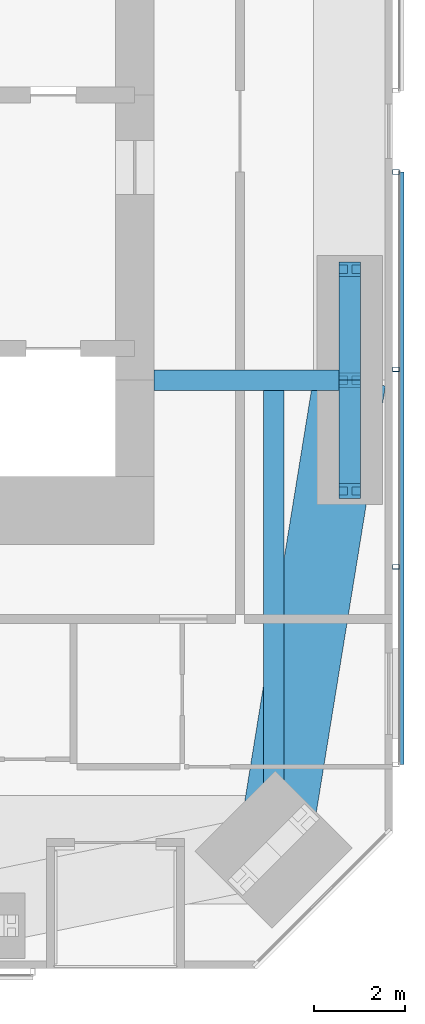
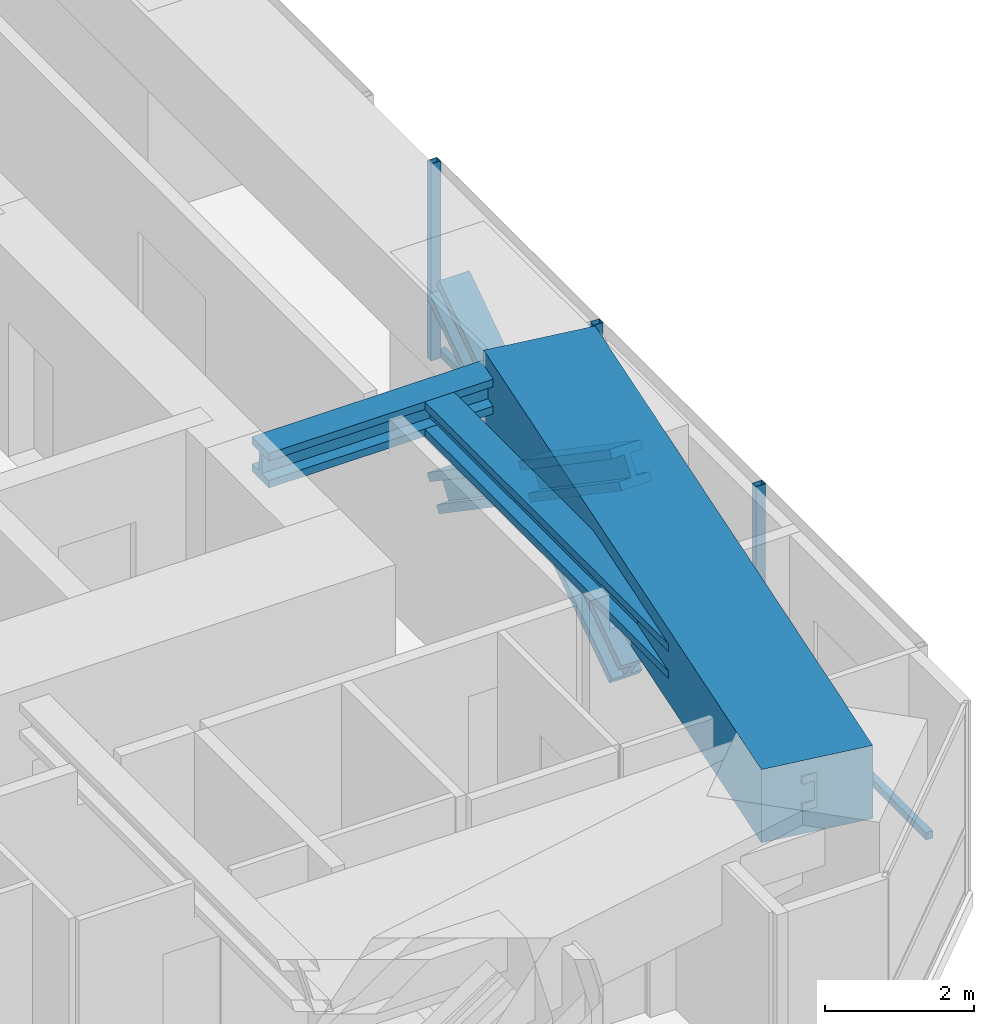
# One storey, part 9 of 24: 8 members, 3 beams, 1 element without a shape of its own.
"""IFC4 building model written with IfcOpenShell, lengths in metres."""

import ifcopenshell
import ifcopenshell.guid

model = None  # the IFC model being written
_history = None  # IfcOwnerHistory: only IFC2X3 demands one
_inside = {}  # id of a spatial element -> (the spatial element, [elements in it])
_under = {}  # id of a project, library or spatial element -> (it, [spatial elements below it])
_declared = {}  # id of a project -> (the project, [libraries it declares])
_typed = {}  # id of a type object -> (the type object, [elements of that type])
_made_of = {}  # id of a material, layer set ... -> (it, [elements and type objects made of it])


def new_model(schema):
    """Start an empty IFC model of exactly this schema.

    Asked for "IFC4X3", IfcOpenShell would pick the latest addendum, in which some entities
    have other attributes; the version numbers below select the first issue.
    IFC2X3 requires an IfcOwnerHistory on every rooted entity: one is made here for all.
    """
    global model, _history
    if schema == "IFC4X3":
        model = ifcopenshell.file(schema_version=(4, 3, 0, 0))
    else:
        model = ifcopenshell.file(schema=schema)
    _inside.clear()
    _under.clear()
    _declared.clear()
    _typed.clear()
    _made_of.clear()
    _history = None
    if model.schema == "IFC2X3":
        org = make("IfcOrganization", Name="unknown")
        user = make(
            "IfcPersonAndOrganization",
            ThePerson=make("IfcPerson", FamilyName="unknown"),
            TheOrganization=org,
        )
        app = make(
            "IfcApplication",
            ApplicationDeveloper=org,
            Version="unknown",
            ApplicationFullName="unknown",
            ApplicationIdentifier="unknown",
        )
        _history = make(
            "IfcOwnerHistory",
            OwningUser=user,
            OwningApplication=app,
            ChangeAction="ADDED",
            CreationDate=0,
        )
    return model


def make(cls, **values):
    """One entity of the class cls with the attributes given. An attribute that is None is left unset."""
    return model.create_entity(
        cls, **{name: value for name, value in values.items() if value is not None}
    )


def rooted(cls, **values):
    """An entity with a GlobalId (a new one), such as an element, a storey or a relation."""
    return make(cls, GlobalId=ifcopenshell.guid.new(), OwnerHistory=_history, **values)


def si_unit(unit_type, name, prefix=None):
    """IfcSIUnit, for example si_unit("LENGTHUNIT", "METRE", prefix="MILLI")."""
    return make("IfcSIUnit", UnitType=unit_type, Prefix=prefix, Name=name)


def assignment(units):
    """IfcUnitAssignment: the units of a project."""
    return None if units is None else make("IfcUnitAssignment", Units=units)


def point(xyz):
    """IfcCartesianPoint."""
    return None if xyz is None else make("IfcCartesianPoint", Coordinates=xyz)


def direction(xyz):
    """IfcDirection."""
    return None if xyz is None else make("IfcDirection", DirectionRatios=xyz)


def frame(location, z_axis=None, x_axis=None):
    """IfcAxis2Placement3D, a coordinate frame: its origin and axes. An axis left out is left unset."""
    return make(
        "IfcAxis2Placement3D",
        Location=point(location),
        Axis=direction(z_axis),
        RefDirection=direction(x_axis),
    )


def frame_2d(location, x_axis=None):
    """IfcAxis2Placement2D, a coordinate frame in the plane: its origin and x axis."""
    return make(
        "IfcAxis2Placement2D", Location=point(location), RefDirection=direction(x_axis)
    )


def origin():
    """The frame at (0, 0, 0) with its axes left unset."""
    return frame((0.0, 0.0, 0.0))


def origin_2d():
    """The frame at (0, 0) in the plane with its x axis left unset."""
    return frame_2d((0.0, 0.0))


def place(relative_to, where):
    """IfcLocalPlacement: puts the frame where relative to a parent placement (None: the world)."""
    return make(
        "IfcLocalPlacement", PlacementRelTo=relative_to, RelativePlacement=where
    )


def context(
    kind, dimensions, precision=None, world=None, true_north=None, identifier=None
):
    """IfcGeometricRepresentationContext, for example the 3D "Model" context."""
    return make(
        "IfcGeometricRepresentationContext",
        ContextIdentifier=identifier,
        ContextType=kind,
        CoordinateSpaceDimension=dimensions,
        Precision=precision,
        WorldCoordinateSystem=world,
        TrueNorth=true_north,
    )


def subcontext(parent, identifier, kind, view, scale=None):
    """IfcGeometricRepresentationSubContext, for example "Body" below "Model"."""
    return make(
        "IfcGeometricRepresentationSubContext",
        ContextIdentifier=identifier,
        ContextType=kind,
        ParentContext=parent,
        TargetScale=scale,
        TargetView=view,
    )


def project(units=None, contexts=None):
    """IfcProject with its units and contexts."""
    return rooted(
        "IfcProject",
        Name="project",
        RepresentationContexts=contexts,
        UnitsInContext=assignment(units),
    )


def spatial(cls, under=None, at=None, **own):
    """A site, building, storey or space (cls), placed at a placement, below another one or the project."""
    s = rooted(cls, ObjectPlacement=at, **own)
    if under is not None:
        _under.setdefault(under.id(), (under, []))[1].append(s)
    return s


def profile(cls, at=None, kind="AREA", **sizes):
    """A parametric profile (cls). Its sizes go by their IFC names, for example OverallWidth=200.0."""
    return make(cls, ProfileType=kind, Position=at, **sizes)


def rectangle(**sizes):
    """IfcRectangleProfileDef."""
    return profile("IfcRectangleProfileDef", **sizes)


def hollow_rectangle(**sizes):
    """IfcRectangleHollowProfileDef."""
    return profile("IfcRectangleHollowProfileDef", **sizes)


def i_section(**sizes):
    """IfcIShapeProfileDef."""
    return profile("IfcIShapeProfileDef", **sizes)


def extrude(swept, where, along, depth):
    """IfcExtrudedAreaSolid: the profile swept, set in the frame where, extruded along a direction by depth."""
    return make(
        "IfcExtrudedAreaSolid",
        SweptArea=swept,
        Position=where,
        ExtrudedDirection=direction(along),
        Depth=depth,
    )


def shape(context_of_items, identifier, shape_type, items):
    """IfcShapeRepresentation: the items that make up one representation, for example the "Body"."""
    return make(
        "IfcShapeRepresentation",
        ContextOfItems=context_of_items,
        RepresentationIdentifier=identifier,
        RepresentationType=shape_type,
        Items=items,
    )


def material(Name=None, Category=None):
    """IfcMaterial."""
    return make("IfcMaterial", Name=Name, Category=Category)


def material_profile(
    of_material, cross_section, Name=None, Category=None, Priority=None
):
    """IfcMaterialProfile: a cross section and its material."""
    return make(
        "IfcMaterialProfile",
        Name=Name,
        Material=of_material,
        Profile=cross_section,
        Priority=Priority,
        Category=Category,
    )


def profile_set(profiles, Name=None, composite=None):
    """IfcMaterialProfileSet."""
    return make(
        "IfcMaterialProfileSet",
        Name=Name,
        MaterialProfiles=profiles,
        CompositeProfile=composite,
    )


def made_of(thing, what):
    """Note that an element or type object is made of a material, layer set ...; save() writes the relation."""
    if what is not None:
        _made_of.setdefault(what.id(), (what, []))[1].append(thing)
    return thing


def type_object(cls, material=None, **own):
    """A type object (cls), such as IfcWallType, which elements share."""
    return made_of(rooted(cls, **own), material)


def element(
    cls,
    number,
    at=None,
    inside=None,
    cuts=None,
    type_object=None,
    material=None,
    context=None,
    identifier="Body",
    shape_type=None,
    held_by="IfcProductDefinitionShape",
    body=None,
    shapes=None,
    **own,
):
    """One element of the class cls, such as IfcWall. Its Tag is "e" and its number.

    at: its placement. inside: the storey or other place that contains it. cuts: it is an
    opening in that element (IfcRelVoidsElement). A single representation is given by context,
    identifier, shape_type and body (its items); several are given by shapes. held_by: the class
    of the entity that holds the representations. save() writes the other relations.
    """
    e = rooted(cls, Tag="e%d" % number, ObjectPlacement=at, **own)
    if body is not None:
        shapes = [shape(context, identifier, shape_type, body)]
    if shapes is not None:
        e.Representation = make(held_by, Representations=shapes)
    if inside is not None:
        _inside.setdefault(inside.id(), (inside, []))[1].append(e)
    if cuts is not None:
        rooted(
            "IfcRelVoidsElement", RelatingBuildingElement=cuts, RelatedOpeningElement=e
        )
    if type_object is not None:
        _typed.setdefault(type_object.id(), (type_object, []))[1].append(e)
    return made_of(e, material)


def aggregate(whole, parts):
    """IfcRelAggregates: a whole, such as a stair, and the parts it consists of."""
    return rooted("IfcRelAggregates", RelatingObject=whole, RelatedObjects=parts)


def save(model, path):
    """Write the relations noted so far, then the file.

    IfcRelAggregates (storeys below a building ...), IfcRelContainedInSpatialStructure (elements
    in a storey), IfcRelDefinesByType, IfcRelAssociatesMaterial and IfcRelDeclares: one each for
    every whole, place, type object, material and project.
    """
    for whole, parts in _under.values():
        aggregate(whole, parts)
    for where, things in _inside.values():
        rooted(
            "IfcRelContainedInSpatialStructure",
            RelatedElements=things,
            RelatingStructure=where,
        )
    for kind, things in _typed.values():
        rooted("IfcRelDefinesByType", RelatedObjects=things, RelatingType=kind)
    for what, things in _made_of.values():
        rooted("IfcRelAssociatesMaterial", RelatedObjects=things, RelatingMaterial=what)
    for by, libraries in _declared.values():
        rooted("IfcRelDeclares", RelatingContext=by, RelatedDefinitions=libraries)
    model.write(path)


model = new_model("IFC4")

# Units and contexts
model_context = context("Model", 3, precision=1e-05, world=origin(), true_north=direction((0.0, 1.0)))
body_context = subcontext(model_context, "Body", "Model", "MODEL_VIEW")
ifc_project = project(units=[si_unit("LENGTHUNIT", "METRE"), si_unit("AREAUNIT", "SQUARE_METRE"), si_unit("VOLUMEUNIT", "CUBIC_METRE"), si_unit("PLANEANGLEUNIT", "RADIAN"), si_unit("MASSUNIT", "GRAM", prefix="KILO")], contexts=[model_context])

# Site, building, storey
site_placement = place(None, origin())
site = spatial("IfcSite", under=ifc_project, at=site_placement, CompositionType="ELEMENT")
building_placement = place(site_placement, origin())
building = spatial("IfcBuilding", under=site, at=building_placement, Name="Jalousie Tower", CompositionType="ELEMENT")
storey_placement = place(building_placement, frame((0.0, 0.0, 131.64990234375)))
storey = spatial("IfcBuildingStorey", under=building, at=storey_placement, Name="L36", CompositionType="ELEMENT", Elevation=131.64990234375)

# Beams
ifc_material_1 = material(Name="Steel ASTM A992 Grade 50", Category="steel")
ifc_material_profile_1 = material_profile(ifc_material_1, i_section(OverallWidth=0.45458984375, OverallDepth=0.569091796875, WebThickness=0.077880859375, FlangeThickness=0.124755859375, at=origin_2d()), Name="W14X730")
ifc_profile_set_1 = profile_set([ifc_material_profile_1], Name="Steel ASTM A992 Grade 50")
beam_type_1 = type_object("IfcBeamType", Name="LEAN COLLECTOR W14X730", PredefinedType="BEAM", material=ifc_profile_set_1)
beam_1_placement = place(storey_placement, frame((48.550048828125, 13.0, 2.82568359375), z_axis=(-1.0, 0.0, 0.0), x_axis=(0.0, -1.0, 0.0)))
element("IfcBeam", 1, at=beam_1_placement, inside=storey, type_object=beam_type_1, Name="Lean collector under L37", PredefinedType="BEAM", context=body_context, shape_type="SweptSolid", body=[
    extrude(i_section(OverallWidth=0.45458984375, OverallDepth=0.569091796875, WebThickness=0.077880859375, FlangeThickness=0.124755859375, at=origin_2d()), origin(), (0.0, 0.0, 1.0), 4.324951171875),
])
beam_2_placement = place(storey_placement, frame((46.86865234375, 2.63134765625, 2.82568359375), z_axis=(0.0, 1.0, 0.0), x_axis=(-1.0, 0.0, 0.0)))
element("IfcBeam", 2, at=beam_2_placement, inside=storey, type_object=beam_type_1, Name="Lean collector under L37", PredefinedType="BEAM", context=body_context, shape_type="SweptSolid", body=[
    extrude(i_section(OverallWidth=0.45458984375, OverallDepth=0.569091796875, WebThickness=0.077880859375, FlangeThickness=0.124755859375, at=origin_2d()), origin(), (0.0, 0.0, 1.0), 10.36865234375),
])

# Members
ifc_material_2 = material(Name="Steel ASTM A992 Grade 50", Category="steel")
ifc_material_profile_2 = material_profile(ifc_material_2, i_section(OverallWidth=0.472412109375, OverallDepth=0.5791015625, WebThickness=0.094970703125, FlangeThickness=0.1298828125, at=origin_2d()), Name="W14X808")
ifc_profile_set_2 = profile_set([ifc_material_profile_2], Name="Steel ASTM A992 Grade 50")
member_type_1 = type_object("IfcMemberType", Name="PERIMETER BRACE W14X808", PredefinedType="BRACE", material=ifc_profile_set_2)
for number, where, z_axis, x_axis, name in (
    (3, (48.550048828125, 10.550048828125, -0.599853515625), (0.0, 0.825500916831, 0.564400776321), (-1.0, 0.0, 0.0), "Perimeter brace 06 L36 part 1"),
    (4, (48.550048828125, 13.0, 1.0751953125), (0.0, 0.825539243753, 0.564344714713), (-1.0, 0.0, 0.0), "Perimeter brace 06 L36 part 2"),
    (5, (48.550048828125, 15.449951171875, -0.599853515625), (0.0, -0.825500916831, 0.564400776321), (1.0, 0.0, 0.0), "Perimeter brace 06 L36 part 3"),
    (6, (48.550048828125, 13.0, 1.0751953125), (0.0, -0.825539243753, 0.564344714713), (1.0, 0.0, 0.0), "Perimeter brace 06 L36 part 4"),
):
    element("IfcMember", number, at=place(storey_placement, frame(where, z_axis=z_axis, x_axis=x_axis)), inside=storey, type_object=member_type_1, Name=name, PredefinedType="BRACE", context=body_context, shape_type="SweptSolid", body=[
        extrude(i_section(OverallWidth=0.472412109375, OverallDepth=0.5791015625, WebThickness=0.094970703125, FlangeThickness=0.1298828125, at=origin_2d()), origin(), (0.0, 0.0, 1.0), 2.9677734375),
    ])

# Beam
ifc_material_3 = material(Name="Concrete f'c 40 MPa", Category="concrete")
ifc_material_profile_3 = material_profile(ifc_material_3, rectangle(XDim=1.60009765625, YDim=1.199951171875, at=origin_2d()), Name="RC 1600x1200")
ifc_profile_set_3 = profile_set([ifc_material_profile_3], Name="Concrete f'c 40 MPa")
beam_type_2 = type_object("IfcBeamType", Name="RC BEAM 1600x1200", PredefinedType="BEAM", material=ifc_profile_set_3)
beam_3_placement = place(storey_placement, frame((46.86865234375, 2.63134765625, 2.75), z_axis=(0.160070546476, 0.987105577003, 0.0), x_axis=(-0.987105577003, 0.160070546476, 0.0)))
element("IfcBeam", 7, at=beam_3_placement, inside=storey, type_object=beam_type_2, Name="Edge band beam 05-06 under L37", PredefinedType="BEAM", context=body_context, shape_type="SweptSolid", body=[
    extrude(rectangle(XDim=1.60009765625, YDim=1.199951171875, at=origin_2d()), origin(), (0.0, 0.0, 1.0), 10.504150390625),
])

# Curtain wall, members
ifc_material_4 = material(Name="Perforated aluminium sheet", Category="aluminium")
curtain_wall_type = type_object("IfcCurtainWallType", Name="SOLAR SCREEN SS-1", PredefinedType="USERDEFINED", material=ifc_material_4)
curtain_wall_placement = place(storey_placement, origin())
curtain_wall = element("IfcCurtainWall", 8, at=curtain_wall_placement, inside=storey, type_object=curtain_wall_type, Name="Solar screen L36", ObjectType="SOLAR SCREEN SS-1", PredefinedType="USERDEFINED")
ifc_material_5 = material(Name="Steel ASTM A500 Grade C", Category="steel")
ifc_material_profile_4 = material_profile(ifc_material_5, hollow_rectangle(XDim=0.1015625, YDim=0.15234375, WallThickness=0.00634765625, at=origin_2d()), Name="HSS6X4X1/4")
ifc_profile_set_4 = profile_set([ifc_material_profile_4], Name="Steel ASTM A500 Grade C")
member_type_2 = type_object("IfcMemberType", Name="SOLAR SCREEN SS-1 MULLION", PredefinedType="MULLION", material=ifc_profile_set_4)
member_1_placement = place(storey_placement, frame((49.5712890625, 8.8759765625, -0.119873046875), z_axis=(0.0, 0.0, 1.0), x_axis=(0.0, 1.0, 0.0)))
member_1 = element("IfcMember", 9, at=member_1_placement, type_object=member_type_2, Name="SS1 post 2", PredefinedType="MULLION", context=body_context, shape_type="SweptSolid", body=[
    extrude(hollow_rectangle(XDim=0.1015625, YDim=0.15234375, WallThickness=0.00634765625, at=origin_2d()), origin(), (0.0, 0.0, 1.0), 3.22998046875),
])
member_2_placement = place(storey_placement, frame((49.5712890625, 13.23779296875, -0.119873046875), z_axis=(0.0, 0.0, 1.0), x_axis=(0.0, 1.0, 0.0)))
member_2 = element("IfcMember", 10, at=member_2_placement, type_object=member_type_2, Name="SS1 post 3", PredefinedType="MULLION", context=body_context, shape_type="SweptSolid", body=[
    extrude(hollow_rectangle(XDim=0.1015625, YDim=0.15234375, WallThickness=0.00634765625, at=origin_2d()), origin(), (0.0, 0.0, 1.0), 3.22998046875),
])
member_3_placement = place(storey_placement, frame((49.5712890625, 17.60009765625, -0.119873046875), z_axis=(0.0, 0.0, 1.0), x_axis=(0.0, 1.0, 0.0)))
member_3 = element("IfcMember", 11, at=member_3_placement, type_object=member_type_2, Name="SS1 post 4", PredefinedType="MULLION", context=body_context, shape_type="SweptSolid", body=[
    extrude(hollow_rectangle(XDim=0.1015625, YDim=0.15234375, WallThickness=0.00634765625, at=origin_2d()), origin(), (0.0, 0.0, 1.0), 3.22998046875),
])
ifc_material_6 = material(Name="Extruded aluminium screen rail", Category="aluminium")
ifc_material_profile_5 = material_profile(ifc_material_6, rectangle(XDim=0.1015625, YDim=0.1201171875, at=origin_2d()), Name="RAIL 102x120")
ifc_profile_set_5 = profile_set([ifc_material_profile_5], Name="Extruded aluminium screen rail")
member_type_3 = type_object("IfcMemberType", Name="SOLAR SCREEN SS-1 TRANSOM", PredefinedType="USERDEFINED", material=ifc_profile_set_5)
member_4_placement = place(storey_placement, frame((49.6982421875, 4.513916015625, -0.059814453125), z_axis=(0.0, 1.0, 0.0), x_axis=(-1.0, 0.0, 0.0)))
member_4 = element("IfcMember", 12, at=member_4_placement, type_object=member_type_3, Name="SS1 rail", ObjectType="TRANSOM", PredefinedType="USERDEFINED", context=body_context, shape_type="SweptSolid", body=[
    extrude(rectangle(XDim=0.1015625, YDim=0.1201171875, at=origin_2d()), origin(), (0.0, 0.0, 1.0), 13.086181640625),
])
aggregate(curtain_wall, [member_1, member_2, member_3, member_4])

save(model, "model.ifc")
